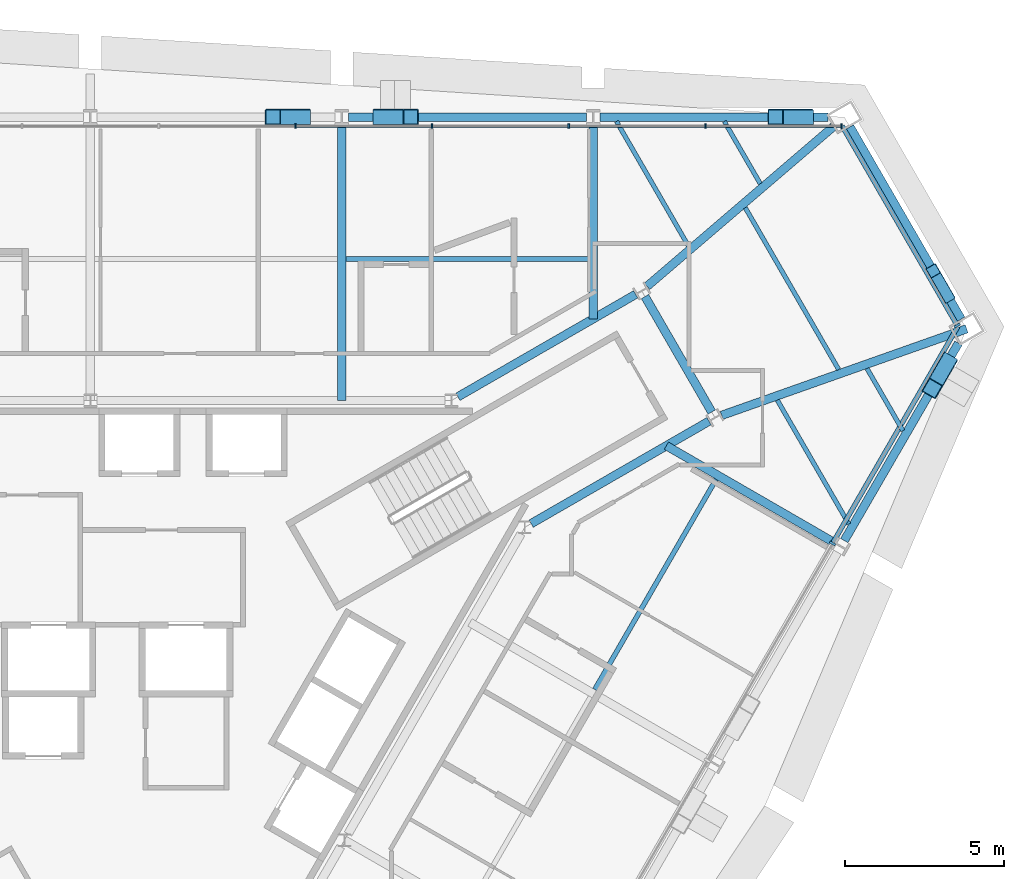
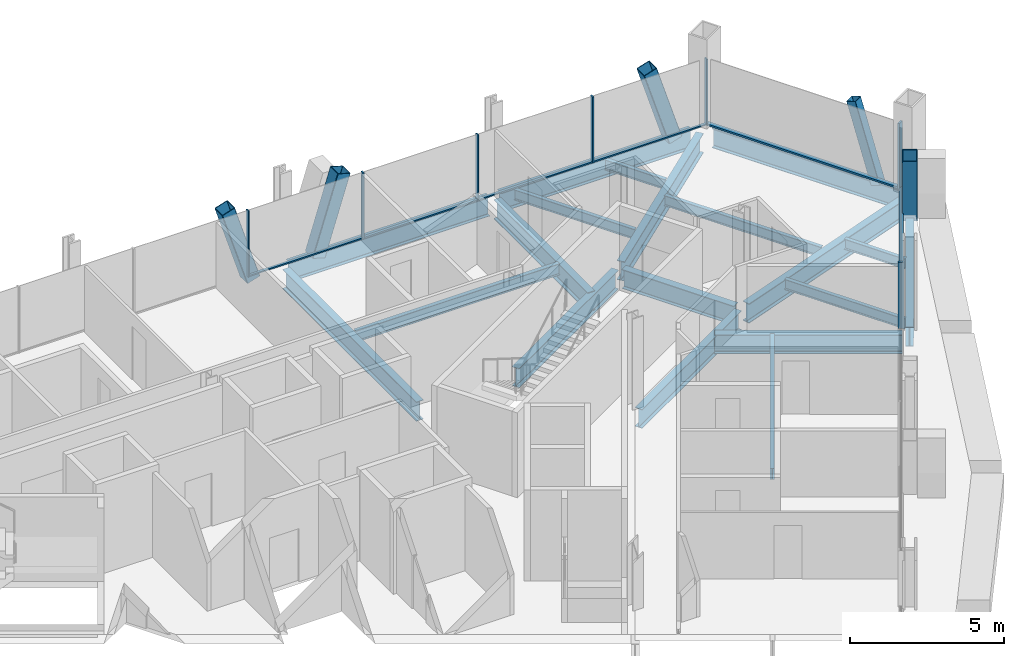
# One storey, part 8 of 17: 19 beams, 18 members, 3 elements without a shape of their own.
"""IFC4 building model written with IfcOpenShell, lengths in metres."""

from ifc_helpers import new_model, si_unit, direction, frame, origin, origin_2d, place, context, subcontext, project, spatial, rectangle, hollow_rectangle, i_section, extrude, material, material_profile, profile_set, type_object, element, aggregate, save


model = new_model("IFC4")

# Units and contexts
model_context = context("Model", 3, precision=1e-05, world=origin(), true_north=direction((0.0, 1.0)))
body_context = subcontext(model_context, "Body", "Model", "MODEL_VIEW")
ifc_project = project(units=[si_unit("LENGTHUNIT", "METRE"), si_unit("AREAUNIT", "SQUARE_METRE"), si_unit("VOLUMEUNIT", "CUBIC_METRE"), si_unit("PLANEANGLEUNIT", "RADIAN"), si_unit("MASSUNIT", "GRAM", prefix="KILO")], contexts=[model_context])

# Site, building, storey
site_placement = place(None, origin())
site = spatial("IfcSite", under=ifc_project, at=site_placement, CompositionType="ELEMENT")
building_placement = place(site_placement, origin())
building = spatial("IfcBuilding", under=site, at=building_placement, Name="Verrane Prism Tower", CompositionType="ELEMENT")
storey_placement = place(building_placement, frame((0.0, 0.0, 96.39990234375)))
storey = spatial("IfcBuildingStorey", under=building, at=storey_placement, Name="L22", CompositionType="ELEMENT", Elevation=96.39990234375)

# Member
ifc_material_1 = material(Name="Steel A500 Grade C", Category="steel")
ifc_material_profile_1 = material_profile(ifc_material_1, hollow_rectangle(XDim=0.355712890625, YDim=0.355712890625, WallThickness=0.0126953125, InnerFilletRadius=0.00634765625, OuterFilletRadius=0.01904296875, at=origin_2d()), Name="HSS14x14x1/2")
ifc_profile_set_1 = profile_set([ifc_material_profile_1], Name="Steel A500 Grade C")
member_type_1 = type_object("IfcMemberType", Name="Chamfer brace HSS14x14x1/2", PredefinedType="BRACE", material=ifc_profile_set_1)
member_1_placement = place(storey_placement, frame((26.906005859375, 12.477294921875, -0.2451171875), z_axis=(-0.145820902694, 0.252056291004, 0.956662892822), x_axis=(-0.8655847131, -0.500762523006, 0.0)))
element("IfcMember", 1, at=member_1_placement, inside=storey, type_object=member_type_1, Name="Chamfer brace NE0 L22", PredefinedType="BRACE", context=body_context, shape_type="SweptSolid", body=[
    extrude(hollow_rectangle(XDim=0.355712890625, YDim=0.355712890625, WallThickness=0.0126953125, InnerFilletRadius=0.00634765625, OuterFilletRadius=0.01904296875, at=origin_2d()), origin(), (0.0, 0.0, 1.0), 3.13916015625),
])

# Beams
ifc_material_2 = material(Name="Steel A992", Category="steel")
ifc_material_profile_2 = material_profile(ifc_material_2, i_section(OverallWidth=0.2666015625, OverallDepth=0.76708984375, WebThickness=0.014892578125, FlangeThickness=0.023681640625, FilletRadius=0.0166015625, at=origin_2d()), Name="W30x124")
ifc_profile_set_2 = profile_set([ifc_material_profile_2], Name="Steel A992")
beam_type_1 = type_object("IfcBeamType", Name="Chamfer spandrel beam W30x124", PredefinedType="SPANDREL", material=ifc_profile_set_2)
beam_1_placement = place(storey_placement, frame((27.32470703125, 11.7529296875, -0.54345703125), z_axis=(-0.500609590055, 0.865673170628, 0.0), x_axis=(-0.865673170628, -0.500609590055, 0.0)))
element("IfcBeam", 2, at=beam_1_placement, inside=storey, type_object=beam_type_1, Name="Chamfer spandrel beam L22", PredefinedType="SPANDREL", context=body_context, shape_type="SweptSolid", body=[
    extrude(i_section(OverallWidth=0.2666015625, OverallDepth=0.76708984375, WebThickness=0.014892578125, FlangeThickness=0.023681640625, FilletRadius=0.0166015625, at=origin_2d()), origin(), (0.0, 0.0, 1.0), 6.970458984375),
])
ifc_material_3 = material(Name="Steel A992", Category="steel")
ifc_material_profile_3 = material_profile(ifc_material_3, i_section(OverallWidth=0.2666015625, OverallDepth=0.7568359375, WebThickness=0.013916015625, FlangeThickness=0.019287109375, FilletRadius=0.0166015625, at=origin_2d()), Name="W30x108")
ifc_profile_set_3 = profile_set([ifc_material_profile_3], Name="Steel A992")
beam_type_2 = type_object("IfcBeamType", Name="Core ring girder W30x108", PredefinedType="BEAM", material=ifc_profile_set_3)
beam_2_placement = place(storey_placement, frame((13.830810546875, 5.335693359375, -0.62841796875), z_axis=(0.866455532004, 0.499254254924, 0.0), x_axis=(-0.499254254924, 0.866455532004, 0.0)))
element("IfcBeam", 3, at=beam_2_placement, inside=storey, type_object=beam_type_2, Name="Core ring girder L22", PredefinedType="BEAM", context=body_context, shape_type="SweptSolid", body=[
    extrude(i_section(OverallWidth=0.2666015625, OverallDepth=0.7568359375, WebThickness=0.013916015625, FlangeThickness=0.019287109375, FilletRadius=0.0166015625, at=origin_2d()), origin(), (0.0, 0.0, 1.0), 6.441162109375),
])
beam_3_placement = place(storey_placement, frame((19.4970703125, 8.838134765625, -0.62841796875), z_axis=(-0.500367003619, 0.865813410435, 0.0), x_axis=(-0.865813410435, -0.500367003619, 0.0)))
element("IfcBeam", 4, at=beam_3_placement, inside=storey, type_object=beam_type_2, Name="Core ring girder L22", PredefinedType="BEAM", context=body_context, shape_type="SweptSolid", body=[
    extrude(i_section(OverallWidth=0.2666015625, OverallDepth=0.7568359375, WebThickness=0.013916015625, FlangeThickness=0.019287109375, FilletRadius=0.0166015625, at=origin_2d()), origin(), (0.0, 0.0, 1.0), 4.185302734375),
])
beam_4_placement = place(storey_placement, frame((17.11181640625, 12.531494140625, -0.62841796875), z_axis=(-0.866455532004, -0.499254254924, 0.0), x_axis=(0.499254254924, -0.866455532004, 0.0)))
element("IfcBeam", 5, at=beam_4_placement, inside=storey, type_object=beam_type_2, Name="Core ring girder L22", PredefinedType="BEAM", context=body_context, shape_type="SweptSolid", body=[
    extrude(i_section(OverallWidth=0.2666015625, OverallDepth=0.7568359375, WebThickness=0.013916015625, FlangeThickness=0.019287109375, FilletRadius=0.0166015625, at=origin_2d()), origin(), (0.0, 0.0, 1.0), 6.441162109375),
])
ifc_material_4 = material(Name="Steel A992", Category="steel")
ifc_material_profile_4 = material_profile(ifc_material_4, i_section(OverallWidth=0.2666015625, OverallDepth=0.76708984375, WebThickness=0.014892578125, FlangeThickness=0.023681640625, FilletRadius=0.0166015625, at=origin_2d()), Name="W30x124")
ifc_profile_set_4 = profile_set([ifc_material_profile_4], Name="Steel A992")
beam_type_3 = type_object("IfcBeamType", Name="Corner girder W30x124", PredefinedType="BEAM", material=ifc_profile_set_4)
beam_5_placement = place(storey_placement, frame((27.4970703125, 11.448974609375, -0.603515625), z_axis=(-0.942926196669, -0.333001783233, 0.0), x_axis=(0.333001783233, -0.942926196669, 0.0)))
element("IfcBeam", 6, at=beam_5_placement, inside=storey, type_object=beam_type_3, Name="Corner girder L22", PredefinedType="BEAM", context=body_context, shape_type="SweptSolid", body=[
    extrude(i_section(OverallWidth=0.2666015625, OverallDepth=0.76708984375, WebThickness=0.014892578125, FlangeThickness=0.023681640625, FilletRadius=0.0166015625, at=origin_2d()), origin(), (0.0, 0.0, 1.0), 8.154052734375),
])
beam_6_placement = place(storey_placement, frame((23.3125, 17.7919921875, -0.603515625), z_axis=(-0.759350631669, -0.65068165656, 0.0), x_axis=(0.65068165656, -0.759350631669, 0.0)))
element("IfcBeam", 7, at=beam_6_placement, inside=storey, type_object=beam_type_3, Name="Corner girder L22", PredefinedType="BEAM", context=body_context, shape_type="SweptSolid", body=[
    extrude(i_section(OverallWidth=0.2666015625, OverallDepth=0.76708984375, WebThickness=0.014892578125, FlangeThickness=0.023681640625, FilletRadius=0.0166015625, at=origin_2d()), origin(), (0.0, 0.0, 1.0), 7.697021484375),
])

# Members
ifc_material_5 = material(Name="Steel A1085 Grade A", Category="steel")
ifc_material_profile_5 = material_profile(ifc_material_5, hollow_rectangle(XDim=0.508056640625, YDim=0.508056640625, WallThickness=0.025390625, InnerFilletRadius=0.0126953125, OuterFilletRadius=0.0380859375, at=origin_2d()), Name="HSS20x20x1")
ifc_profile_set_5 = profile_set([ifc_material_profile_5], Name="Steel A1085 Grade A")
member_type_2 = type_object("IfcMemberType", Name="Facade brace HSS20x20x1", PredefinedType="BRACE", material=ifc_profile_set_5)
member_2_placement = place(storey_placement, frame((22.44189453125, 18.090087890625, -0.242431640625), z_axis=(-0.298464647361, 0.0, 0.954420690406), x_axis=(0.0, -1.0, 0.0)))
element("IfcMember", 8, at=member_2_placement, inside=storey, type_object=member_type_2, Name="Facade brace N0 L22", PredefinedType="BRACE", context=body_context, shape_type="SweptSolid", body=[
    extrude(hollow_rectangle(XDim=0.508056640625, YDim=0.508056640625, WallThickness=0.025390625, InnerFilletRadius=0.0126953125, OuterFilletRadius=0.0380859375, at=origin_2d()), origin(), (0.0, 0.0, 1.0), 3.151611328125),
])
for number, where, z_axis, x_axis, name in (
    (9, (9.10986328125, 18.090087890625, -0.242431640625), (0.298746857953, 0.0, 0.954332392232), (0.0, 1.0, 0.0), "Facade brace N1 L22"),
    (10, (6.670166015625, 18.090087890625, -0.242431640625), (-0.298746857953, 0.0, 0.954332392232), (0.0, -1.0, 0.0), "Facade brace N2 L22"),
    (11, (26.889404296875, 10.39404296875, -0.242431640625), (-0.149642236647, -0.258620822031, 0.954317804205), (0.86555049301, -0.500821668911, 0.0), "Facade brace SE5 L22"),
):
    element("IfcMember", number, at=place(storey_placement, frame(where, z_axis=z_axis, x_axis=x_axis)), inside=storey, type_object=member_type_2, Name=name, PredefinedType="BRACE", context=body_context, shape_type="SweptSolid", body=[
        extrude(hollow_rectangle(XDim=0.508056640625, YDim=0.508056640625, WallThickness=0.025390625, InnerFilletRadius=0.0126953125, OuterFilletRadius=0.0380859375, at=origin_2d()), origin(), (0.0, 0.0, 1.0), 3.152099609375),
    ])

# Beams
ifc_material_6 = material(Name="Steel A992", Category="steel")
ifc_material_profile_6 = material_profile(ifc_material_6, i_section(OverallWidth=0.140380859375, OverallDepth=0.40380859375, WebThickness=0.007080078125, FlangeThickness=0.01123046875, FilletRadius=0.01025390625, at=origin_2d()), Name="W16x31")
ifc_profile_set_6 = profile_set([ifc_material_profile_6], Name="Steel A992")
beam_type_4 = type_object("IfcBeamType", Name="Floor beam W16x31", PredefinedType="BEAM", material=ifc_profile_set_6)
beam_7_placement = place(storey_placement, frame((21.019775390625, 16.00341796875, -0.36181640625), z_axis=(-0.500016062875, 0.866016129681, 0.0), x_axis=(-0.866016129681, -0.500016062875, 0.0)))
element("IfcBeam", 12, at=beam_7_placement, inside=storey, type_object=beam_type_4, Name="Floor beam L22", PredefinedType="BEAM", context=body_context, shape_type="SweptSolid", body=[
    extrude(i_section(OverallWidth=0.140380859375, OverallDepth=0.40380859375, WebThickness=0.007080078125, FlangeThickness=0.01123046875, FilletRadius=0.01025390625, at=origin_2d()), origin(), (0.0, 0.0, 1.0), 2.25537109375),
])
beam_8_placement = place(storey_placement, frame((18.756591796875, 14.06396484375, -0.36181640625), z_axis=(-0.499988891082, 0.866031817426, 0.0), x_axis=(-0.866031817426, -0.499988891082, 0.0)))
element("IfcBeam", 13, at=beam_8_placement, inside=storey, type_object=beam_type_4, Name="Floor beam L22", PredefinedType="BEAM", context=body_context, shape_type="SweptSolid", body=[
    extrude(i_section(OverallWidth=0.140380859375, OverallDepth=0.40380859375, WebThickness=0.007080078125, FlangeThickness=0.01123046875, FilletRadius=0.01025390625, at=origin_2d()), origin(), (0.0, 0.0, 1.0), 4.49462890625),
])
beam_9_placement = place(storey_placement, frame((25.49658203125, 8.25244140625, -0.36181640625), z_axis=(-0.499997670926, 0.866026748472, 0.0), x_axis=(-0.866026748472, -0.499997670926, 0.0)))
element("IfcBeam", 14, at=beam_9_placement, inside=storey, type_object=beam_type_4, Name="Floor beam L22", PredefinedType="BEAM", context=body_context, shape_type="SweptSolid", body=[
    extrude(i_section(OverallWidth=0.140380859375, OverallDepth=0.40380859375, WebThickness=0.007080078125, FlangeThickness=0.01123046875, FilletRadius=0.01025390625, at=origin_2d()), origin(), (0.0, 0.0, 1.0), 2.25244140625),
])
beam_10_placement = place(storey_placement, frame((23.80126953125, 5.321044921875, -0.36181640625), z_axis=(-0.500004878216, 0.866022587327, 0.0), x_axis=(-0.866022587327, -0.500004878216, 0.0)))
element("IfcBeam", 15, at=beam_10_placement, inside=storey, type_object=beam_type_4, Name="Floor beam L22", PredefinedType="BEAM", context=body_context, shape_type="SweptSolid", body=[
    extrude(i_section(OverallWidth=0.140380859375, OverallDepth=0.40380859375, WebThickness=0.007080078125, FlangeThickness=0.01123046875, FilletRadius=0.01025390625, at=origin_2d()), origin(), (0.0, 0.0, 1.0), 4.48974609375),
])
beam_11_placement = place(storey_placement, frame((23.481201171875, 10.17236328125, -0.36181640625), z_axis=(-0.500000035988, 0.866025383007, 0.0), x_axis=(-0.866025383007, -0.500000035988, 0.0)))
element("IfcBeam", 16, at=beam_11_placement, inside=storey, type_object=beam_type_4, Name="Floor beam L22", PredefinedType="BEAM", context=body_context, shape_type="SweptSolid", body=[
    extrude(i_section(OverallWidth=0.140380859375, OverallDepth=0.40380859375, WebThickness=0.007080078125, FlangeThickness=0.01123046875, FilletRadius=0.01025390625, at=origin_2d()), origin(), (0.0, 0.0, 1.0), 5.8623046875),
])
ifc_material_7 = material(Name="Steel A992", Category="steel")
ifc_material_profile_7 = material_profile(ifc_material_7, i_section(OverallWidth=0.15234375, OverallDepth=0.449462890625, WebThickness=0.007568359375, FlangeThickness=0.0107421875, FilletRadius=0.01025390625, at=origin_2d()), Name="W18x35")
ifc_profile_set_7 = profile_set([ifc_material_profile_7], Name="Steel A992")
beam_type_5 = type_object("IfcBeamType", Name="Floor beam W18x35", PredefinedType="BEAM", material=ifc_profile_set_7)
beam_12_placement = place(storey_placement, frame((8.0234375, 13.64501953125, -0.384765625), z_axis=(1.0, 0.0, 0.0), x_axis=(0.0, 1.0, 0.0)))
element("IfcBeam", 17, at=beam_12_placement, inside=storey, type_object=beam_type_5, Name="Floor beam L22", PredefinedType="BEAM", context=body_context, shape_type="SweptSolid", body=[
    extrude(i_section(OverallWidth=0.15234375, OverallDepth=0.449462890625, WebThickness=0.007568359375, FlangeThickness=0.0107421875, FilletRadius=0.01025390625, at=origin_2d()), origin(), (0.0, 0.0, 1.0), 7.623046875),
])
beam_13_placement = place(storey_placement, frame((15.82666015625, 0.130615234375, -0.384765625), z_axis=(0.49997412077, 0.866040344649, 0.0), x_axis=(-0.866040344649, 0.49997412077, 0.0)))
element("IfcBeam", 18, at=beam_13_placement, inside=storey, type_object=beam_type_5, Name="Floor beam L22", PredefinedType="BEAM", context=body_context, shape_type="SweptSolid", body=[
    extrude(i_section(OverallWidth=0.15234375, OverallDepth=0.449462890625, WebThickness=0.007568359375, FlangeThickness=0.0107421875, FilletRadius=0.01025390625, at=origin_2d()), origin(), (0.0, 0.0, 1.0), 7.61376953125),
])

# Curtain wall, members
ifc_material_8 = material(Name="Aluminium framed insulated glazing", Category="aluminium")
curtain_wall_type_1 = type_object("IfcCurtainWallType", Name="Curtain wall CW-C 4200 module", PredefinedType="NOTDEFINED", material=ifc_material_8)
curtain_wall_1_placement = place(storey_placement, origin())
curtain_wall_1 = element("IfcCurtainWall", 19, at=curtain_wall_1_placement, inside=storey, type_object=curtain_wall_type_1, Name="Glazed curtain wall north face L22", PredefinedType="NOTDEFINED")
ifc_material_9 = material(Name="Aluminium alloy 6063-T6", Category="aluminium")
ifc_material_profile_8 = material_profile(ifc_material_9, rectangle(XDim=0.139892578125, YDim=0.050048828125, at=origin_2d()), Name="Mullion 50x140 aluminium")
ifc_profile_set_8 = profile_set([ifc_material_profile_8], Name="Aluminium alloy 6063-T6")
member_type_3 = type_object("IfcMemberType", Name="Mullion 50x140 aluminium", PredefinedType="MULLION", material=ifc_profile_set_8)
member_3_placement = place(storey_placement, frame((23.564697265625, 17.81103515625, 0.0), z_axis=(0.0, 0.0, 1.0), x_axis=(0.0, -1.0, 0.0)))
member_3 = element("IfcMember", 20, at=member_3_placement, type_object=member_type_3, Name="CW21.2 mullion 1", PredefinedType="MULLION", context=body_context, shape_type="SweptSolid", body=[
    extrude(rectangle(XDim=0.139892578125, YDim=0.050048828125, at=origin_2d()), origin(), (0.0, 0.0, 1.0), 2.613037109375),
])
member_4_placement = place(storey_placement, frame((19.30078125, 17.81103515625, 0.0), z_axis=(0.0, 0.0, 1.0), x_axis=(0.0, -1.0, 0.0)))
member_4 = element("IfcMember", 21, at=member_4_placement, type_object=member_type_3, Name="CW21.2 mullion 2", PredefinedType="MULLION", context=body_context, shape_type="SweptSolid", body=[
    extrude(rectangle(XDim=0.139892578125, YDim=0.050048828125, at=origin_2d()), origin(), (0.0, 0.0, 1.0), 2.613037109375),
])
member_5_placement = place(storey_placement, frame((15.01171875, 17.81103515625, 0.0), z_axis=(0.0, 0.0, 1.0), x_axis=(0.0, -1.0, 0.0)))
member_5 = element("IfcMember", 22, at=member_5_placement, type_object=member_type_3, Name="CW21.2 mullion 3", PredefinedType="MULLION", context=body_context, shape_type="SweptSolid", body=[
    extrude(rectangle(XDim=0.139892578125, YDim=0.050048828125, at=origin_2d()), origin(), (0.0, 0.0, 1.0), 2.613037109375),
])
member_6_placement = place(storey_placement, frame((10.72265625, 17.81103515625, 0.0), z_axis=(0.0, 0.0, 1.0), x_axis=(0.0, -1.0, 0.0)))
member_6 = element("IfcMember", 23, at=member_6_placement, type_object=member_type_3, Name="CW21.2 mullion 4", PredefinedType="MULLION", context=body_context, shape_type="SweptSolid", body=[
    extrude(rectangle(XDim=0.139892578125, YDim=0.050048828125, at=origin_2d()), origin(), (0.0, 0.0, 1.0), 2.613037109375),
])
member_7_placement = place(storey_placement, frame((6.43359375, 17.81103515625, 0.0), z_axis=(0.0, 0.0, 1.0), x_axis=(0.0, -1.0, 0.0)))
member_7 = element("IfcMember", 24, at=member_7_placement, type_object=member_type_3, Name="CW21.2 mullion 5", PredefinedType="MULLION", context=body_context, shape_type="SweptSolid", body=[
    extrude(rectangle(XDim=0.139892578125, YDim=0.050048828125, at=origin_2d()), origin(), (0.0, 0.0, 1.0), 2.613037109375),
])

# Curtain wall, member
ifc_material_10 = material(Name="Aluminium framed insulated glazing", Category="aluminium")
curtain_wall_type_2 = type_object("IfcCurtainWallType", Name="Curtain wall CW-A 8400 module", PredefinedType="NOTDEFINED", material=ifc_material_10)
curtain_wall_2_placement = place(storey_placement, origin())
curtain_wall_2 = element("IfcCurtainWall", 25, at=curtain_wall_2_placement, inside=storey, type_object=curtain_wall_type_2, Name="Glazed curtain wall north-east corner L22", PredefinedType="NOTDEFINED")
ifc_material_11 = material(Name="Aluminium alloy 6063-T6", Category="aluminium")
ifc_material_profile_9 = material_profile(ifc_material_11, rectangle(XDim=0.199951171875, YDim=0.070068359375, at=origin_2d()), Name="Mullion 70x200 aluminium")
ifc_profile_set_9 = profile_set([ifc_material_profile_9], Name="Aluminium alloy 6063-T6")
member_type_4 = type_object("IfcMemberType", Name="Mullion 70x200 aluminium", PredefinedType="MULLION", material=ifc_profile_set_9)
member_8_placement = place(storey_placement, frame((27.2021484375, 11.55419921875, 0.0), z_axis=(0.0, 0.0, 1.0), x_axis=(-0.866026394632, -0.499998283797, 0.0)))
member_8 = element("IfcMember", 26, at=member_8_placement, type_object=member_type_4, Name="CW21.1 mullion 1", PredefinedType="MULLION", context=body_context, shape_type="SweptSolid", body=[
    extrude(rectangle(XDim=0.199951171875, YDim=0.070068359375, at=origin_2d()), origin(), (0.0, 0.0, 1.0), 2.613037109375),
])

curtain_wall_3_placement = place(storey_placement, origin())
curtain_wall_3 = element("IfcCurtainWall", 27, at=curtain_wall_3_placement, inside=storey, type_object=curtain_wall_type_2, Name="Glazed curtain wall south-east face L22", PredefinedType="NOTDEFINED")
member_9_placement = place(storey_placement, frame((23.2880859375, 4.714111328125, 0.0), z_axis=(0.0, 0.0, 1.0), x_axis=(-0.866025621383, 0.499999623108, 0.0)))
member_9 = element("IfcMember", 28, at=member_9_placement, type_object=member_type_4, Name="CW21.6 mullion 6", PredefinedType="MULLION", context=body_context, shape_type="SweptSolid", body=[
    extrude(rectangle(XDim=0.199951171875, YDim=0.070068359375, at=origin_2d()), origin(), (0.0, 0.0, 1.0), 2.613037109375),
])

# Beams
ifc_material_12 = material(Name="Steel A992", Category="steel")
ifc_material_profile_10 = material_profile(ifc_material_12, i_section(OverallWidth=0.2666015625, OverallDepth=0.76708984375, WebThickness=0.014892578125, FlangeThickness=0.023681640625, FilletRadius=0.0166015625, at=origin_2d()), Name="W30x124")
ifc_profile_set_10 = profile_set([ifc_material_profile_10], Name="Steel A992")
beam_type_6 = type_object("IfcBeamType", Name="Radial girder W30x124", PredefinedType="BEAM", material=ifc_profile_set_10)
beam_14_placement = place(storey_placement, frame((15.780029296875, 17.8525390625, -0.603515625), z_axis=(0.0, -1.0, 0.0), x_axis=(1.0, 0.0, 0.0)))
element("IfcBeam", 29, at=beam_14_placement, inside=storey, type_object=beam_type_6, Name="Radial girder L22", PredefinedType="BEAM", context=body_context, shape_type="SweptSolid", body=[
    extrude(i_section(OverallWidth=0.2666015625, OverallDepth=0.76708984375, WebThickness=0.014892578125, FlangeThickness=0.023681640625, FilletRadius=0.0166015625, at=origin_2d()), origin(), (0.0, 0.0, 1.0), 6.08837890625),
])
beam_15_placement = place(storey_placement, frame((7.889892578125, 17.8525390625, -0.603515625), z_axis=(0.0, -1.0, 0.0), x_axis=(1.0, 0.0, 0.0)))
element("IfcBeam", 30, at=beam_15_placement, inside=storey, type_object=beam_type_6, Name="Radial girder L22", PredefinedType="BEAM", context=body_context, shape_type="SweptSolid", body=[
    extrude(i_section(OverallWidth=0.2666015625, OverallDepth=0.76708984375, WebThickness=0.014892578125, FlangeThickness=0.023681640625, FilletRadius=0.0166015625, at=origin_2d()), origin(), (0.0, 0.0, 1.0), 8.652587890625),
])
beam_16_placement = place(storey_placement, frame((23.34423828125, 4.73876953125, -0.603515625), z_axis=(-0.866034580849, 0.49998410452, 0.0), x_axis=(-0.49998410452, -0.866034580849, 0.0)))
element("IfcBeam", 31, at=beam_16_placement, inside=storey, type_object=beam_type_6, Name="Radial girder L22", PredefinedType="BEAM", context=body_context, shape_type="SweptSolid", body=[
    extrude(i_section(OverallWidth=0.2666015625, OverallDepth=0.76708984375, WebThickness=0.014892578125, FlangeThickness=0.023681640625, FilletRadius=0.0166015625, at=origin_2d()), origin(), (0.0, 0.0, 1.0), 6.084716796875),
])
ifc_material_13 = material(Name="Steel A992", Category="steel")
ifc_material_profile_11 = material_profile(ifc_material_13, i_section(OverallWidth=0.2666015625, OverallDepth=0.7568359375, WebThickness=0.013916015625, FlangeThickness=0.019287109375, FilletRadius=0.0166015625, at=origin_2d()), Name="W30x108")
ifc_profile_set_11 = profile_set([ifc_material_profile_11], Name="Steel A992")
beam_type_7 = type_object("IfcBeamType", Name="Spandrel beam W30x108", PredefinedType="SPANDREL", material=ifc_profile_set_11)
beam_17_placement = place(storey_placement, frame((23.140380859375, 18.090087890625, -0.538330078125), z_axis=(-1.0, 0.0, 0.0), x_axis=(0.0, -1.0, 0.0)))
element("IfcBeam", 32, at=beam_17_placement, inside=storey, type_object=beam_type_7, Name="Spandrel beam L22", PredefinedType="SPANDREL", context=body_context, shape_type="SweptSolid", body=[
    extrude(i_section(OverallWidth=0.2666015625, OverallDepth=0.7568359375, WebThickness=0.013916015625, FlangeThickness=0.019287109375, FilletRadius=0.0166015625, at=origin_2d()), origin(), (0.0, 0.0, 1.0), 7.148193359375),
])
beam_18_placement = place(storey_placement, frame((15.56787109375, 18.090087890625, -0.538330078125), z_axis=(-1.0, 0.0, 0.0), x_axis=(0.0, -1.0, 0.0)))
element("IfcBeam", 33, at=beam_18_placement, inside=storey, type_object=beam_type_7, Name="Spandrel beam L22", PredefinedType="SPANDREL", context=body_context, shape_type="SweptSolid", body=[
    extrude(i_section(OverallWidth=0.2666015625, OverallDepth=0.7568359375, WebThickness=0.013916015625, FlangeThickness=0.019287109375, FilletRadius=0.0166015625, at=origin_2d()), origin(), (0.0, 0.0, 1.0), 7.4658203125),
])
beam_19_placement = place(storey_placement, frame((23.65625, 4.8037109375, -0.538330078125), z_axis=(0.50063155155, 0.865660470157, 0.0), x_axis=(-0.865660470157, 0.50063155155, 0.0)))
element("IfcBeam", 34, at=beam_19_placement, inside=storey, type_object=beam_type_7, Name="Spandrel beam L22", PredefinedType="SPANDREL", context=body_context, shape_type="SweptSolid", body=[
    extrude(i_section(OverallWidth=0.2666015625, OverallDepth=0.7568359375, WebThickness=0.013916015625, FlangeThickness=0.019287109375, FilletRadius=0.0166015625, at=origin_2d()), origin(), (0.0, 0.0, 1.0), 7.158447265625),
])

# Member
ifc_material_14 = material(Name="Aluminium alloy 6063-T6", Category="aluminium")
ifc_material_profile_12 = material_profile(ifc_material_14, rectangle(XDim=0.10009765625, YDim=0.050048828125, at=origin_2d()), Name="Transom 50x100 aluminium")
ifc_profile_set_12 = profile_set([ifc_material_profile_12], Name="Aluminium alloy 6063-T6")
member_type_5 = type_object("IfcMemberType", Name="Transom 50x100 aluminium", PredefinedType="USERDEFINED", material=ifc_profile_set_12)
member_10_placement = place(storey_placement, frame((23.539794921875, 17.81103515625, 0.025146484375), z_axis=(-1.0, 0.0, 0.0), x_axis=(0.0, -1.0, 0.0)))
member_10 = element("IfcMember", 35, at=member_10_placement, type_object=member_type_5, Name="CW21.2 transom 1", ObjectType="TRANSOM", PredefinedType="USERDEFINED", context=body_context, shape_type="SweptSolid", body=[
    extrude(rectangle(XDim=0.10009765625, YDim=0.050048828125, at=origin_2d()), origin(), (0.0, 0.0, 1.0), 4.214111328125),
])

member_11_placement = place(storey_placement, frame((19.275634765625, 17.81103515625, 0.025146484375), z_axis=(-1.0, 0.0, 0.0), x_axis=(0.0, -1.0, 0.0)))
member_11 = element("IfcMember", 36, at=member_11_placement, type_object=member_type_5, Name="CW21.2 transom 2", ObjectType="TRANSOM", PredefinedType="USERDEFINED", context=body_context, shape_type="SweptSolid", body=[
    extrude(rectangle(XDim=0.10009765625, YDim=0.050048828125, at=origin_2d()), origin(), (0.0, 0.0, 1.0), 4.239013671875),
])

member_12_placement = place(storey_placement, frame((14.986572265625, 17.81103515625, 0.025146484375), z_axis=(-1.0, 0.0, 0.0), x_axis=(0.0, -1.0, 0.0)))
member_12 = element("IfcMember", 37, at=member_12_placement, type_object=member_type_5, Name="CW21.2 transom 3", ObjectType="TRANSOM", PredefinedType="USERDEFINED", context=body_context, shape_type="SweptSolid", body=[
    extrude(rectangle(XDim=0.10009765625, YDim=0.050048828125, at=origin_2d()), origin(), (0.0, 0.0, 1.0), 4.239013671875),
])

member_13_placement = place(storey_placement, frame((10.697509765625, 17.81103515625, 0.025146484375), z_axis=(-1.0, 0.0, 0.0), x_axis=(0.0, -1.0, 0.0)))
member_13 = element("IfcMember", 38, at=member_13_placement, type_object=member_type_5, Name="CW21.2 transom 4", ObjectType="TRANSOM", PredefinedType="USERDEFINED", context=body_context, shape_type="SweptSolid", body=[
    extrude(rectangle(XDim=0.10009765625, YDim=0.050048828125, at=origin_2d()), origin(), (0.0, 0.0, 1.0), 4.239013671875),
])

aggregate(curtain_wall_1, [member_3, member_4, member_5, member_6, member_7, member_10, member_11, member_12, member_13])

ifc_material_15 = material(Name="Aluminium alloy 6063-T6", Category="aluminium")
ifc_material_profile_13 = material_profile(ifc_material_15, rectangle(XDim=0.14990234375, YDim=0.070068359375, at=origin_2d()), Name="Transom 70x150 aluminium")
ifc_profile_set_13 = profile_set([ifc_material_profile_13], Name="Aluminium alloy 6063-T6")
member_type_6 = type_object("IfcMemberType", Name="Transom 70x150 aluminium", PredefinedType="USERDEFINED", material=ifc_profile_set_13)
member_14_placement = place(storey_placement, frame((27.1845703125, 11.58447265625, 0.03515625), z_axis=(-0.500006589238, 0.866021599452, 0.0), x_axis=(-0.866021599452, -0.500006589238, 0.0)))
member_14 = element("IfcMember", 39, at=member_14_placement, type_object=member_type_6, Name="CW21.1 transom 1", ObjectType="TRANSOM", PredefinedType="USERDEFINED", context=body_context, shape_type="SweptSolid", body=[
    extrude(rectangle(XDim=0.14990234375, YDim=0.070068359375, at=origin_2d()), origin(), (0.0, 0.0, 1.0), 7.18994140625),
])

aggregate(curtain_wall_2, [member_8, member_14])

member_15_placement = place(storey_placement, frame((23.305419921875, 4.744384765625, 0.03515625), z_axis=(0.500003221507, 0.866023543838, 0.0), x_axis=(-0.866023543838, 0.500003221507, 0.0)))
member_15 = element("IfcMember", 40, at=member_15_placement, type_object=member_type_6, Name="CW21.6 transom 6", ObjectType="TRANSOM", PredefinedType="USERDEFINED", context=body_context, shape_type="SweptSolid", body=[
    extrude(rectangle(XDim=0.14990234375, YDim=0.070068359375, at=origin_2d()), origin(), (0.0, 0.0, 1.0), 7.828125),
])

aggregate(curtain_wall_3, [member_9, member_15])

save(model, "model.ifc")
